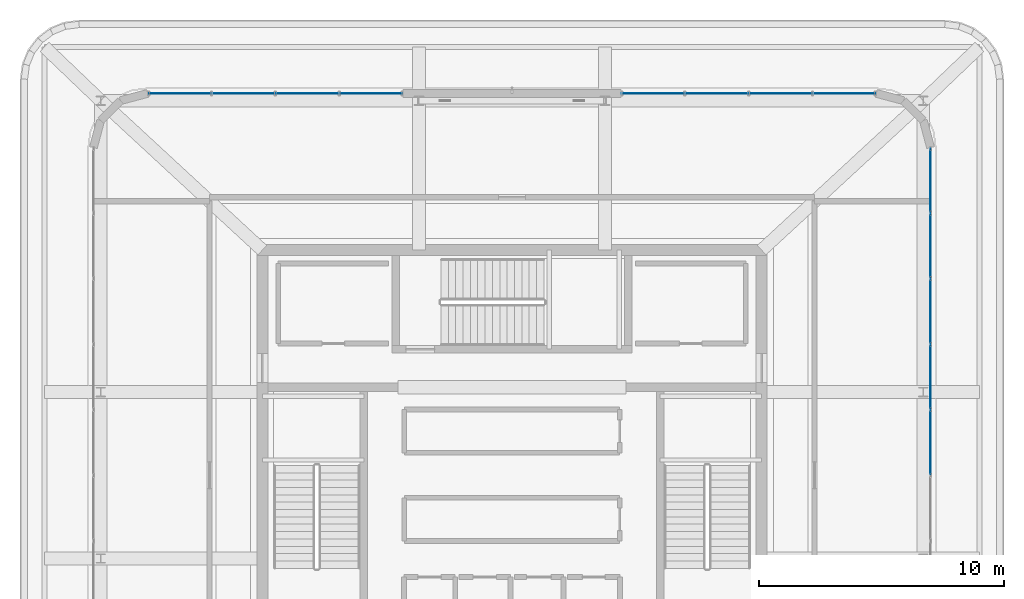
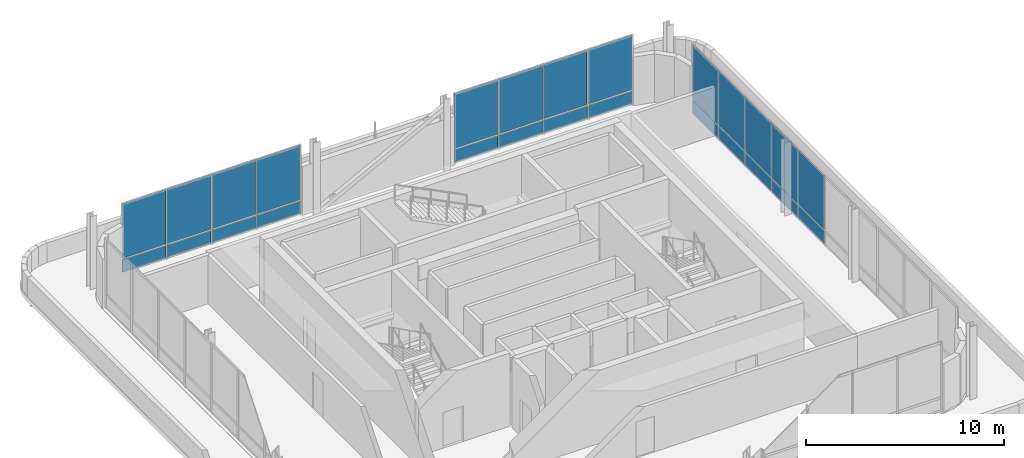
# One storey, part 21 of 28: 26 plates, 3 elements without a shape of their own.
"""IFC4 building model written with IfcOpenShell, lengths in metres."""

from ifc_helpers import new_model, si_unit, direction, frame, origin, origin_2d, place, context, subcontext, project, spatial, rectangle, extrude, material, layer, layer_set, type_object, element, aggregate, save


model = new_model("IFC4")

# Units and contexts
model_context = context("Model", 3, precision=1e-05, world=origin(), true_north=direction((0.0, 1.0)))
body_context = subcontext(model_context, "Body", "Model", "MODEL_VIEW")
ifc_project = project(units=[si_unit("LENGTHUNIT", "METRE"), si_unit("AREAUNIT", "SQUARE_METRE"), si_unit("VOLUMEUNIT", "CUBIC_METRE"), si_unit("PLANEANGLEUNIT", "RADIAN"), si_unit("MASSUNIT", "GRAM", prefix="KILO")], contexts=[model_context])

# Site, building, storey
site_placement = place(None, origin())
site = spatial("IfcSite", under=ifc_project, at=site_placement, CompositionType="ELEMENT")
building_placement = place(site_placement, origin())
building = spatial("IfcBuilding", under=site, at=building_placement, Name="Punatoya Terracotta Tower", CompositionType="ELEMENT")
storey_placement = place(building_placement, frame((0.0, 0.0, 352.800048828125)))
storey = spatial("IfcBuildingStorey", under=building, at=storey_placement, Name="L83", CompositionType="ELEMENT", Elevation=352.800048828125)

# Curtain wall, plates
ifc_material_1 = material(Name="Aluminium 6063-T6 + Double Low-E Glass", Category="aluminium")
curtain_wall_type = type_object("IfcCurtainWallType", Name="CW-CRN", PredefinedType="NOTDEFINED", material=ifc_material_1)
curtain_wall_1_placement = place(storey_placement, origin())
curtain_wall_1 = element("IfcCurtainWall", 1, at=curtain_wall_1_placement, inside=storey, type_object=curtain_wall_type, Name="L83 Curtain Wall CW-L83-E05-1", PredefinedType="NOTDEFINED")
ifc_material_2 = material(Name="Double Low-E Acoustic Vision Glass", Category="glass")
ifc_layer_1 = layer(ifc_material_2, 0.031982421875)
ifc_layer_set_1 = layer_set([ifc_layer_1], Name="Double Low-E Acoustic Vision Glass")
plate_type_1 = type_object("IfcPlateType", Name="PLT-GLZ-32", PredefinedType="CURTAIN_PANEL", material=ifc_layer_set_1)
plate_1_placement = place(storey_placement, frame((17.10009765625, 1.338623046875, 0.889892578125), z_axis=(0.0, 0.0, 1.0), x_axis=(0.0, 1.0, 0.0)))
plate_1 = element("IfcPlate", 2, at=plate_1_placement, type_object=plate_type_1, Name="CW-L83-E05-1 Vision Glass Panel 6", PredefinedType="CURTAIN_PANEL", context=body_context, shape_type="SweptSolid", body=[
    extrude(rectangle(XDim=2.59228515625, YDim=0.031982421875, at=origin_2d()), origin(), (0.0, 0.0, 1.0), 3.35009765625),
])
plate_2_placement = place(storey_placement, frame((17.10009765625, 4.01611328125, 0.889892578125), z_axis=(0.0, 0.0, 1.0), x_axis=(0.0, 1.0, 0.0)))
plate_2 = element("IfcPlate", 3, at=plate_2_placement, type_object=plate_type_1, Name="CW-L83-E05-1 Vision Glass Panel 7", PredefinedType="CURTAIN_PANEL", context=body_context, shape_type="SweptSolid", body=[
    extrude(rectangle(XDim=2.59228515625, YDim=0.031982421875, at=origin_2d()), origin(), (0.0, 0.0, 1.0), 3.35009765625),
])
plate_3_placement = place(storey_placement, frame((17.10009765625, 6.693359375, 0.889892578125), z_axis=(0.0, 0.0, 1.0), x_axis=(0.0, 1.0, 0.0)))
plate_3 = element("IfcPlate", 4, at=plate_3_placement, type_object=plate_type_1, Name="CW-L83-E05-1 Vision Glass Panel 8", PredefinedType="CURTAIN_PANEL", context=body_context, shape_type="SweptSolid", body=[
    extrude(rectangle(XDim=2.59228515625, YDim=0.031982421875, at=origin_2d()), origin(), (0.0, 0.0, 1.0), 3.35009765625),
])
plate_4_placement = place(storey_placement, frame((17.10009765625, 9.370849609375, 0.889892578125), z_axis=(0.0, 0.0, 1.0), x_axis=(0.0, 1.0, 0.0)))
plate_4 = element("IfcPlate", 5, at=plate_4_placement, type_object=plate_type_1, Name="CW-L83-E05-1 Vision Glass Panel 9", PredefinedType="CURTAIN_PANEL", context=body_context, shape_type="SweptSolid", body=[
    extrude(rectangle(XDim=2.59228515625, YDim=0.031982421875, at=origin_2d()), origin(), (0.0, 0.0, 1.0), 3.35009765625),
])
plate_5_placement = place(storey_placement, frame((17.10009765625, 12.048095703125, 0.889892578125), z_axis=(0.0, 0.0, 1.0), x_axis=(0.0, 1.0, 0.0)))
plate_5 = element("IfcPlate", 6, at=plate_5_placement, type_object=plate_type_1, Name="CW-L83-E05-1 Vision Glass Panel 10", PredefinedType="CURTAIN_PANEL", context=body_context, shape_type="SweptSolid", body=[
    extrude(rectangle(XDim=2.59228515625, YDim=0.031982421875, at=origin_2d()), origin(), (0.0, 0.0, 1.0), 3.35009765625),
])

curtain_wall_2_placement = place(storey_placement, origin())
curtain_wall_2 = element("IfcCurtainWall", 7, at=curtain_wall_2_placement, inside=storey, type_object=curtain_wall_type, Name="L83 Curtain Wall CW-L83-N09-1", PredefinedType="NOTDEFINED")
plate_6_placement = place(storey_placement, frame((13.582275390625, 15.60009765625, 0.889892578125), z_axis=(0.0, 0.0, 1.0), x_axis=(-1.0, 0.0, 0.0)))
plate_6 = element("IfcPlate", 8, at=plate_6_placement, type_object=plate_type_1, Name="CW-L83-N09-1 Vision Glass Panel 1", PredefinedType="CURTAIN_PANEL", context=body_context, shape_type="SweptSolid", body=[
    extrude(rectangle(XDim=2.524169921875, YDim=0.031982421875, at=origin_2d()), origin(), (0.0, 0.0, 1.0), 3.35009765625),
])
plate_7_placement = place(storey_placement, frame((10.97314453125, 15.60009765625, 0.889892578125), z_axis=(0.0, 0.0, 1.0), x_axis=(-1.0, 0.0, 0.0)))
plate_7 = element("IfcPlate", 9, at=plate_7_placement, type_object=plate_type_1, Name="CW-L83-N09-1 Vision Glass Panel 2", PredefinedType="CURTAIN_PANEL", context=body_context, shape_type="SweptSolid", body=[
    extrude(rectangle(XDim=2.524169921875, YDim=0.031982421875, at=origin_2d()), origin(), (0.0, 0.0, 1.0), 3.35009765625),
])
plate_8_placement = place(storey_placement, frame((8.36376953125, 15.60009765625, 0.889892578125), z_axis=(0.0, 0.0, 1.0), x_axis=(-1.0, 0.0, 0.0)))
plate_8 = element("IfcPlate", 10, at=plate_8_placement, type_object=plate_type_1, Name="CW-L83-N09-1 Vision Glass Panel 3", PredefinedType="CURTAIN_PANEL", context=body_context, shape_type="SweptSolid", body=[
    extrude(rectangle(XDim=2.524169921875, YDim=0.031982421875, at=origin_2d()), origin(), (0.0, 0.0, 1.0), 3.35009765625),
])
plate_9_placement = place(storey_placement, frame((5.754638671875, 15.60009765625, 0.889892578125), z_axis=(0.0, 0.0, 1.0), x_axis=(-1.0, 0.0, 0.0)))
plate_9 = element("IfcPlate", 11, at=plate_9_placement, type_object=plate_type_1, Name="CW-L83-N09-1 Vision Glass Panel 4", PredefinedType="CURTAIN_PANEL", context=body_context, shape_type="SweptSolid", body=[
    extrude(rectangle(XDim=2.524169921875, YDim=0.031982421875, at=origin_2d()), origin(), (0.0, 0.0, 1.0), 3.35009765625),
])

curtain_wall_3_placement = place(storey_placement, origin())
curtain_wall_3 = element("IfcCurtainWall", 12, at=curtain_wall_3_placement, inside=storey, type_object=curtain_wall_type, Name="L83 Curtain Wall CW-L83-N09-2", PredefinedType="NOTDEFINED")
plate_10_placement = place(storey_placement, frame((-5.754638671875, 15.60009765625, 0.889892578125), z_axis=(0.0, 0.0, 1.0), x_axis=(-1.0, 0.0, 0.0)))
plate_10 = element("IfcPlate", 13, at=plate_10_placement, type_object=plate_type_1, Name="CW-L83-N09-2 Vision Glass Panel 1", PredefinedType="CURTAIN_PANEL", context=body_context, shape_type="SweptSolid", body=[
    extrude(rectangle(XDim=2.524169921875, YDim=0.031982421875, at=origin_2d()), origin(), (0.0, 0.0, 1.0), 3.35009765625),
])
plate_11_placement = place(storey_placement, frame((-8.36376953125, 15.60009765625, 0.889892578125), z_axis=(0.0, 0.0, 1.0), x_axis=(-1.0, 0.0, 0.0)))
plate_11 = element("IfcPlate", 14, at=plate_11_placement, type_object=plate_type_1, Name="CW-L83-N09-2 Vision Glass Panel 2", PredefinedType="CURTAIN_PANEL", context=body_context, shape_type="SweptSolid", body=[
    extrude(rectangle(XDim=2.524169921875, YDim=0.031982421875, at=origin_2d()), origin(), (0.0, 0.0, 1.0), 3.35009765625),
])
plate_12_placement = place(storey_placement, frame((-10.97314453125, 15.60009765625, 0.889892578125), z_axis=(0.0, 0.0, 1.0), x_axis=(-1.0, 0.0, 0.0)))
plate_12 = element("IfcPlate", 15, at=plate_12_placement, type_object=plate_type_1, Name="CW-L83-N09-2 Vision Glass Panel 3", PredefinedType="CURTAIN_PANEL", context=body_context, shape_type="SweptSolid", body=[
    extrude(rectangle(XDim=2.524169921875, YDim=0.031982421875, at=origin_2d()), origin(), (0.0, 0.0, 1.0), 3.35009765625),
])
plate_13_placement = place(storey_placement, frame((-13.582275390625, 15.60009765625, 0.889892578125), z_axis=(0.0, 0.0, 1.0), x_axis=(-1.0, 0.0, 0.0)))
plate_13 = element("IfcPlate", 16, at=plate_13_placement, type_object=plate_type_1, Name="CW-L83-N09-2 Vision Glass Panel 4", PredefinedType="CURTAIN_PANEL", context=body_context, shape_type="SweptSolid", body=[
    extrude(rectangle(XDim=2.524169921875, YDim=0.031982421875, at=origin_2d()), origin(), (0.0, 0.0, 1.0), 3.35009765625),
])

# Plate
ifc_material_3 = material(Name="Crown Insulated Terracotta Spandrel Panel", Category="masonry")
ifc_layer_2 = layer(ifc_material_3, 0.052001953125)
ifc_layer_set_2 = layer_set([ifc_layer_2], Name="Crown Insulated Terracotta Spandrel Panel")
plate_type_2 = type_object("IfcPlateType", Name="PLT-SPN-52", PredefinedType="CURTAIN_PANEL", material=ifc_layer_set_2)
plate_14_placement = place(storey_placement, frame((17.10009765625, 1.338623046875, 0.0400390625), z_axis=(0.0, 0.0, 1.0), x_axis=(0.0, 1.0, 0.0)))
plate_14 = element("IfcPlate", 17, at=plate_14_placement, type_object=plate_type_2, Name="CW-L83-E05-1 Terracotta Spandrel Panel 6", PredefinedType="CURTAIN_PANEL", context=body_context, shape_type="SweptSolid", body=[
    extrude(rectangle(XDim=2.59228515625, YDim=0.052001953125, at=origin_2d()), origin(), (0.0, 0.0, 1.0), 0.77490234375),
])

plate_15_placement = place(storey_placement, frame((17.10009765625, 4.01611328125, 0.0400390625), z_axis=(0.0, 0.0, 1.0), x_axis=(0.0, 1.0, 0.0)))
plate_15 = element("IfcPlate", 18, at=plate_15_placement, type_object=plate_type_2, Name="CW-L83-E05-1 Terracotta Spandrel Panel 7", PredefinedType="CURTAIN_PANEL", context=body_context, shape_type="SweptSolid", body=[
    extrude(rectangle(XDim=2.59228515625, YDim=0.052001953125, at=origin_2d()), origin(), (0.0, 0.0, 1.0), 0.77490234375),
])

plate_16_placement = place(storey_placement, frame((17.10009765625, 6.693359375, 0.0400390625), z_axis=(0.0, 0.0, 1.0), x_axis=(0.0, 1.0, 0.0)))
plate_16 = element("IfcPlate", 19, at=plate_16_placement, type_object=plate_type_2, Name="CW-L83-E05-1 Terracotta Spandrel Panel 8", PredefinedType="CURTAIN_PANEL", context=body_context, shape_type="SweptSolid", body=[
    extrude(rectangle(XDim=2.59228515625, YDim=0.052001953125, at=origin_2d()), origin(), (0.0, 0.0, 1.0), 0.77490234375),
])

plate_17_placement = place(storey_placement, frame((17.10009765625, 9.370849609375, 0.0400390625), z_axis=(0.0, 0.0, 1.0), x_axis=(0.0, 1.0, 0.0)))
plate_17 = element("IfcPlate", 20, at=plate_17_placement, type_object=plate_type_2, Name="CW-L83-E05-1 Terracotta Spandrel Panel 9", PredefinedType="CURTAIN_PANEL", context=body_context, shape_type="SweptSolid", body=[
    extrude(rectangle(XDim=2.59228515625, YDim=0.052001953125, at=origin_2d()), origin(), (0.0, 0.0, 1.0), 0.77490234375),
])

plate_18_placement = place(storey_placement, frame((17.10009765625, 12.048095703125, 0.0400390625), z_axis=(0.0, 0.0, 1.0), x_axis=(0.0, 1.0, 0.0)))
plate_18 = element("IfcPlate", 21, at=plate_18_placement, type_object=plate_type_2, Name="CW-L83-E05-1 Terracotta Spandrel Panel 10", PredefinedType="CURTAIN_PANEL", context=body_context, shape_type="SweptSolid", body=[
    extrude(rectangle(XDim=2.59228515625, YDim=0.052001953125, at=origin_2d()), origin(), (0.0, 0.0, 1.0), 0.77490234375),
])

aggregate(curtain_wall_1, [plate_14, plate_1, plate_15, plate_2, plate_16, plate_3, plate_17, plate_4, plate_18, plate_5])

plate_19_placement = place(storey_placement, frame((13.582275390625, 15.60009765625, 0.0400390625), z_axis=(0.0, 0.0, 1.0), x_axis=(-1.0, 0.0, 0.0)))
plate_19 = element("IfcPlate", 22, at=plate_19_placement, type_object=plate_type_2, Name="CW-L83-N09-1 Terracotta Spandrel Panel 1", PredefinedType="CURTAIN_PANEL", context=body_context, shape_type="SweptSolid", body=[
    extrude(rectangle(XDim=2.524169921875, YDim=0.052001953125, at=origin_2d()), origin(), (0.0, 0.0, 1.0), 0.77490234375),
])

plate_20_placement = place(storey_placement, frame((10.97314453125, 15.60009765625, 0.0400390625), z_axis=(0.0, 0.0, 1.0), x_axis=(-1.0, 0.0, 0.0)))
plate_20 = element("IfcPlate", 23, at=plate_20_placement, type_object=plate_type_2, Name="CW-L83-N09-1 Terracotta Spandrel Panel 2", PredefinedType="CURTAIN_PANEL", context=body_context, shape_type="SweptSolid", body=[
    extrude(rectangle(XDim=2.524169921875, YDim=0.052001953125, at=origin_2d()), origin(), (0.0, 0.0, 1.0), 0.77490234375),
])

plate_21_placement = place(storey_placement, frame((8.36376953125, 15.60009765625, 0.0400390625), z_axis=(0.0, 0.0, 1.0), x_axis=(-1.0, 0.0, 0.0)))
plate_21 = element("IfcPlate", 24, at=plate_21_placement, type_object=plate_type_2, Name="CW-L83-N09-1 Terracotta Spandrel Panel 3", PredefinedType="CURTAIN_PANEL", context=body_context, shape_type="SweptSolid", body=[
    extrude(rectangle(XDim=2.524169921875, YDim=0.052001953125, at=origin_2d()), origin(), (0.0, 0.0, 1.0), 0.77490234375),
])

plate_22_placement = place(storey_placement, frame((5.754638671875, 15.60009765625, 0.0400390625), z_axis=(0.0, 0.0, 1.0), x_axis=(-1.0, 0.0, 0.0)))
plate_22 = element("IfcPlate", 25, at=plate_22_placement, type_object=plate_type_2, Name="CW-L83-N09-1 Terracotta Spandrel Panel 4", PredefinedType="CURTAIN_PANEL", context=body_context, shape_type="SweptSolid", body=[
    extrude(rectangle(XDim=2.524169921875, YDim=0.052001953125, at=origin_2d()), origin(), (0.0, 0.0, 1.0), 0.77490234375),
])

aggregate(curtain_wall_2, [plate_19, plate_6, plate_20, plate_7, plate_21, plate_8, plate_22, plate_9])

plate_23_placement = place(storey_placement, frame((-5.754638671875, 15.60009765625, 0.0400390625), z_axis=(0.0, 0.0, 1.0), x_axis=(-1.0, 0.0, 0.0)))
plate_23 = element("IfcPlate", 26, at=plate_23_placement, type_object=plate_type_2, Name="CW-L83-N09-2 Terracotta Spandrel Panel 1", PredefinedType="CURTAIN_PANEL", context=body_context, shape_type="SweptSolid", body=[
    extrude(rectangle(XDim=2.524169921875, YDim=0.052001953125, at=origin_2d()), origin(), (0.0, 0.0, 1.0), 0.77490234375),
])

plate_24_placement = place(storey_placement, frame((-8.36376953125, 15.60009765625, 0.0400390625), z_axis=(0.0, 0.0, 1.0), x_axis=(-1.0, 0.0, 0.0)))
plate_24 = element("IfcPlate", 27, at=plate_24_placement, type_object=plate_type_2, Name="CW-L83-N09-2 Terracotta Spandrel Panel 2", PredefinedType="CURTAIN_PANEL", context=body_context, shape_type="SweptSolid", body=[
    extrude(rectangle(XDim=2.524169921875, YDim=0.052001953125, at=origin_2d()), origin(), (0.0, 0.0, 1.0), 0.77490234375),
])

plate_25_placement = place(storey_placement, frame((-10.97314453125, 15.60009765625, 0.0400390625), z_axis=(0.0, 0.0, 1.0), x_axis=(-1.0, 0.0, 0.0)))
plate_25 = element("IfcPlate", 28, at=plate_25_placement, type_object=plate_type_2, Name="CW-L83-N09-2 Terracotta Spandrel Panel 3", PredefinedType="CURTAIN_PANEL", context=body_context, shape_type="SweptSolid", body=[
    extrude(rectangle(XDim=2.524169921875, YDim=0.052001953125, at=origin_2d()), origin(), (0.0, 0.0, 1.0), 0.77490234375),
])

plate_26_placement = place(storey_placement, frame((-13.582275390625, 15.60009765625, 0.0400390625), z_axis=(0.0, 0.0, 1.0), x_axis=(-1.0, 0.0, 0.0)))
plate_26 = element("IfcPlate", 29, at=plate_26_placement, type_object=plate_type_2, Name="CW-L83-N09-2 Terracotta Spandrel Panel 4", PredefinedType="CURTAIN_PANEL", context=body_context, shape_type="SweptSolid", body=[
    extrude(rectangle(XDim=2.524169921875, YDim=0.052001953125, at=origin_2d()), origin(), (0.0, 0.0, 1.0), 0.77490234375),
])

aggregate(curtain_wall_3, [plate_23, plate_10, plate_24, plate_11, plate_25, plate_12, plate_26, plate_13])

save(model, "model.ifc")
